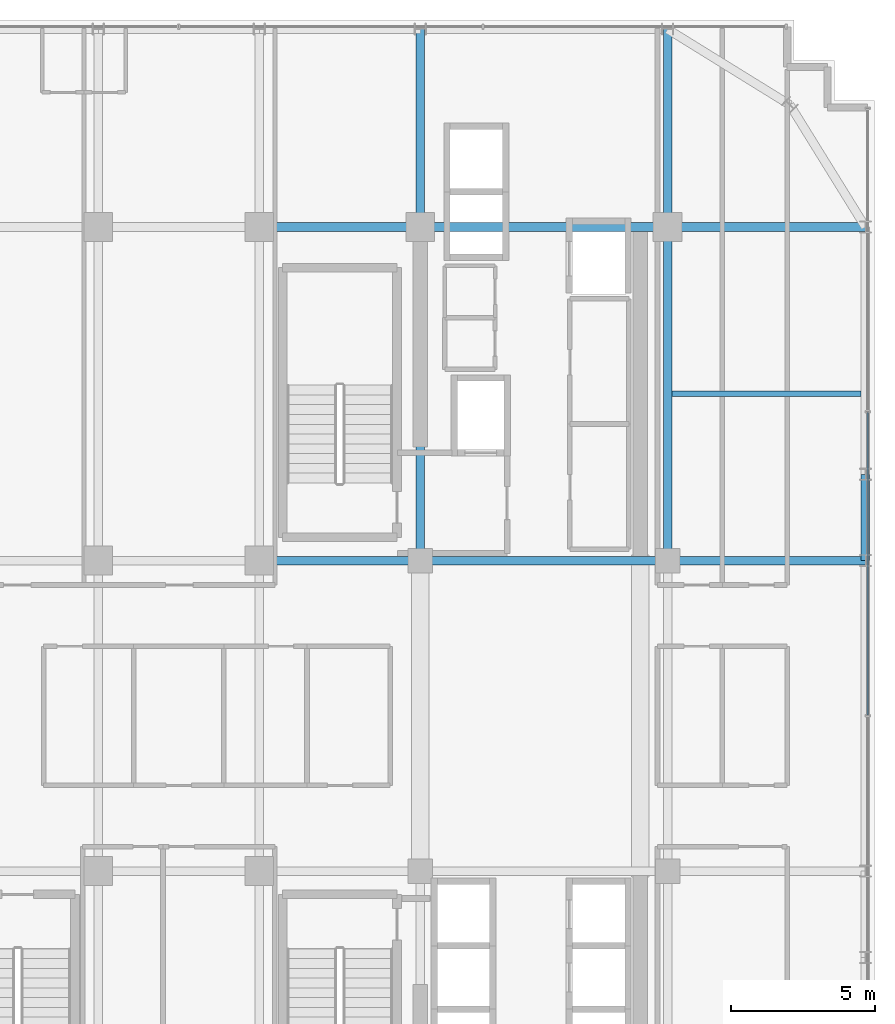
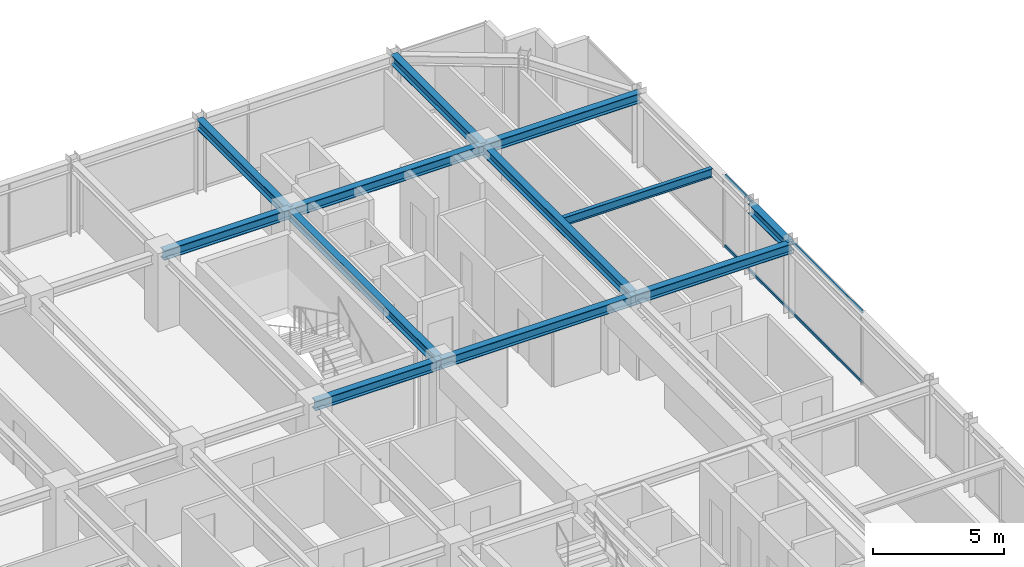
# One storey, part 21 of 32: 12 beams, 2 members, 1 element without a shape of its own.
"""IFC4 building model written with IfcOpenShell, lengths in metres."""

import ifcopenshell
import ifcopenshell.guid

model = None  # the IFC model being written
_history = None  # IfcOwnerHistory: only IFC2X3 demands one
_inside = {}  # id of a spatial element -> (the spatial element, [elements in it])
_under = {}  # id of a project, library or spatial element -> (it, [spatial elements below it])
_declared = {}  # id of a project -> (the project, [libraries it declares])
_typed = {}  # id of a type object -> (the type object, [elements of that type])
_made_of = {}  # id of a material, layer set ... -> (it, [elements and type objects made of it])


def new_model(schema):
    """Start an empty IFC model of exactly this schema.

    Asked for "IFC4X3", IfcOpenShell would pick the latest addendum, in which some entities
    have other attributes; the version numbers below select the first issue.
    IFC2X3 requires an IfcOwnerHistory on every rooted entity: one is made here for all.
    """
    global model, _history
    if schema == "IFC4X3":
        model = ifcopenshell.file(schema_version=(4, 3, 0, 0))
    else:
        model = ifcopenshell.file(schema=schema)
    _inside.clear()
    _under.clear()
    _declared.clear()
    _typed.clear()
    _made_of.clear()
    _history = None
    if model.schema == "IFC2X3":
        org = make("IfcOrganization", Name="unknown")
        user = make(
            "IfcPersonAndOrganization",
            ThePerson=make("IfcPerson", FamilyName="unknown"),
            TheOrganization=org,
        )
        app = make(
            "IfcApplication",
            ApplicationDeveloper=org,
            Version="unknown",
            ApplicationFullName="unknown",
            ApplicationIdentifier="unknown",
        )
        _history = make(
            "IfcOwnerHistory",
            OwningUser=user,
            OwningApplication=app,
            ChangeAction="ADDED",
            CreationDate=0,
        )
    return model


def make(cls, **values):
    """One entity of the class cls with the attributes given. An attribute that is None is left unset."""
    return model.create_entity(
        cls, **{name: value for name, value in values.items() if value is not None}
    )


def rooted(cls, **values):
    """An entity with a GlobalId (a new one), such as an element, a storey or a relation."""
    return make(cls, GlobalId=ifcopenshell.guid.new(), OwnerHistory=_history, **values)


def si_unit(unit_type, name, prefix=None):
    """IfcSIUnit, for example si_unit("LENGTHUNIT", "METRE", prefix="MILLI")."""
    return make("IfcSIUnit", UnitType=unit_type, Prefix=prefix, Name=name)


def assignment(units):
    """IfcUnitAssignment: the units of a project."""
    return None if units is None else make("IfcUnitAssignment", Units=units)


def point(xyz):
    """IfcCartesianPoint."""
    return None if xyz is None else make("IfcCartesianPoint", Coordinates=xyz)


def direction(xyz):
    """IfcDirection."""
    return None if xyz is None else make("IfcDirection", DirectionRatios=xyz)


def frame(location, z_axis=None, x_axis=None):
    """IfcAxis2Placement3D, a coordinate frame: its origin and axes. An axis left out is left unset."""
    return make(
        "IfcAxis2Placement3D",
        Location=point(location),
        Axis=direction(z_axis),
        RefDirection=direction(x_axis),
    )


def frame_2d(location, x_axis=None):
    """IfcAxis2Placement2D, a coordinate frame in the plane: its origin and x axis."""
    return make(
        "IfcAxis2Placement2D", Location=point(location), RefDirection=direction(x_axis)
    )


def origin():
    """The frame at (0, 0, 0) with its axes left unset."""
    return frame((0.0, 0.0, 0.0))


def origin_2d():
    """The frame at (0, 0) in the plane with its x axis left unset."""
    return frame_2d((0.0, 0.0))


def place(relative_to, where):
    """IfcLocalPlacement: puts the frame where relative to a parent placement (None: the world)."""
    return make(
        "IfcLocalPlacement", PlacementRelTo=relative_to, RelativePlacement=where
    )


def context(
    kind, dimensions, precision=None, world=None, true_north=None, identifier=None
):
    """IfcGeometricRepresentationContext, for example the 3D "Model" context."""
    return make(
        "IfcGeometricRepresentationContext",
        ContextIdentifier=identifier,
        ContextType=kind,
        CoordinateSpaceDimension=dimensions,
        Precision=precision,
        WorldCoordinateSystem=world,
        TrueNorth=true_north,
    )


def subcontext(parent, identifier, kind, view, scale=None):
    """IfcGeometricRepresentationSubContext, for example "Body" below "Model"."""
    return make(
        "IfcGeometricRepresentationSubContext",
        ContextIdentifier=identifier,
        ContextType=kind,
        ParentContext=parent,
        TargetScale=scale,
        TargetView=view,
    )


def project(units=None, contexts=None):
    """IfcProject with its units and contexts."""
    return rooted(
        "IfcProject",
        Name="project",
        RepresentationContexts=contexts,
        UnitsInContext=assignment(units),
    )


def spatial(cls, under=None, at=None, **own):
    """A site, building, storey or space (cls), placed at a placement, below another one or the project."""
    s = rooted(cls, ObjectPlacement=at, **own)
    if under is not None:
        _under.setdefault(under.id(), (under, []))[1].append(s)
    return s


def profile(cls, at=None, kind="AREA", **sizes):
    """A parametric profile (cls). Its sizes go by their IFC names, for example OverallWidth=200.0."""
    return make(cls, ProfileType=kind, Position=at, **sizes)


def hollow_rectangle(**sizes):
    """IfcRectangleHollowProfileDef."""
    return profile("IfcRectangleHollowProfileDef", **sizes)


def i_section(**sizes):
    """IfcIShapeProfileDef."""
    return profile("IfcIShapeProfileDef", **sizes)


def extrude(swept, where, along, depth):
    """IfcExtrudedAreaSolid: the profile swept, set in the frame where, extruded along a direction by depth."""
    return make(
        "IfcExtrudedAreaSolid",
        SweptArea=swept,
        Position=where,
        ExtrudedDirection=direction(along),
        Depth=depth,
    )


def shape(context_of_items, identifier, shape_type, items):
    """IfcShapeRepresentation: the items that make up one representation, for example the "Body"."""
    return make(
        "IfcShapeRepresentation",
        ContextOfItems=context_of_items,
        RepresentationIdentifier=identifier,
        RepresentationType=shape_type,
        Items=items,
    )


def source(mapping_origin, context_of_items, identifier, shape_type, items):
    """IfcRepresentationMap: a shape defined once, which mapped items show again and again."""
    return make(
        "IfcRepresentationMap",
        MappingOrigin=mapping_origin,
        MappedRepresentation=shape(context_of_items, identifier, shape_type, items),
    )


def transform(
    local_origin,
    x_axis=None,
    y_axis=None,
    z_axis=None,
    scale=None,
    scale2=None,
    scale3=None,
    uniform=True,
):
    """IfcCartesianTransformationOperator3D, or its non-uniform kind. x_axis, y_axis, z_axis: its Axis1, 2, 3."""
    if uniform:
        return make(
            "IfcCartesianTransformationOperator3D",
            Axis1=direction(x_axis),
            Axis2=direction(y_axis),
            LocalOrigin=point(local_origin),
            Scale=scale,
            Axis3=direction(z_axis),
        )
    return make(
        "IfcCartesianTransformationOperator3DnonUniform",
        Axis1=direction(x_axis),
        Axis2=direction(y_axis),
        LocalOrigin=point(local_origin),
        Scale=scale,
        Axis3=direction(z_axis),
        Scale2=scale2,
        Scale3=scale3,
    )


def mapped(mapping_source, mapping_target):
    """IfcMappedItem: shows the shape of a source again, moved by a transform."""
    return make(
        "IfcMappedItem", MappingSource=mapping_source, MappingTarget=mapping_target
    )


def material(Name=None, Category=None):
    """IfcMaterial."""
    return make("IfcMaterial", Name=Name, Category=Category)


def material_profile(
    of_material, cross_section, Name=None, Category=None, Priority=None
):
    """IfcMaterialProfile: a cross section and its material."""
    return make(
        "IfcMaterialProfile",
        Name=Name,
        Material=of_material,
        Profile=cross_section,
        Priority=Priority,
        Category=Category,
    )


def profile_set(profiles, Name=None, composite=None):
    """IfcMaterialProfileSet."""
    return make(
        "IfcMaterialProfileSet",
        Name=Name,
        MaterialProfiles=profiles,
        CompositeProfile=composite,
    )


def made_of(thing, what):
    """Note that an element or type object is made of a material, layer set ...; save() writes the relation."""
    if what is not None:
        _made_of.setdefault(what.id(), (what, []))[1].append(thing)
    return thing


def type_object(cls, material=None, **own):
    """A type object (cls), such as IfcWallType, which elements share."""
    return made_of(rooted(cls, **own), material)


def element(
    cls,
    number,
    at=None,
    inside=None,
    cuts=None,
    type_object=None,
    material=None,
    context=None,
    identifier="Body",
    shape_type=None,
    held_by="IfcProductDefinitionShape",
    body=None,
    shapes=None,
    **own,
):
    """One element of the class cls, such as IfcWall. Its Tag is "e" and its number.

    at: its placement. inside: the storey or other place that contains it. cuts: it is an
    opening in that element (IfcRelVoidsElement). A single representation is given by context,
    identifier, shape_type and body (its items); several are given by shapes. held_by: the class
    of the entity that holds the representations. save() writes the other relations.
    """
    e = rooted(cls, Tag="e%d" % number, ObjectPlacement=at, **own)
    if body is not None:
        shapes = [shape(context, identifier, shape_type, body)]
    if shapes is not None:
        e.Representation = make(held_by, Representations=shapes)
    if inside is not None:
        _inside.setdefault(inside.id(), (inside, []))[1].append(e)
    if cuts is not None:
        rooted(
            "IfcRelVoidsElement", RelatingBuildingElement=cuts, RelatedOpeningElement=e
        )
    if type_object is not None:
        _typed.setdefault(type_object.id(), (type_object, []))[1].append(e)
    return made_of(e, material)


def aggregate(whole, parts):
    """IfcRelAggregates: a whole, such as a stair, and the parts it consists of."""
    return rooted("IfcRelAggregates", RelatingObject=whole, RelatedObjects=parts)


def save(model, path):
    """Write the relations noted so far, then the file.

    IfcRelAggregates (storeys below a building ...), IfcRelContainedInSpatialStructure (elements
    in a storey), IfcRelDefinesByType, IfcRelAssociatesMaterial and IfcRelDeclares: one each for
    every whole, place, type object, material and project.
    """
    for whole, parts in _under.values():
        aggregate(whole, parts)
    for where, things in _inside.values():
        rooted(
            "IfcRelContainedInSpatialStructure",
            RelatedElements=things,
            RelatingStructure=where,
        )
    for kind, things in _typed.values():
        rooted("IfcRelDefinesByType", RelatedObjects=things, RelatingType=kind)
    for what, things in _made_of.values():
        rooted("IfcRelAssociatesMaterial", RelatedObjects=things, RelatingMaterial=what)
    for by, libraries in _declared.values():
        rooted("IfcRelDeclares", RelatingContext=by, RelatedDefinitions=libraries)
    model.write(path)


model = new_model("IFC4")

# Units and contexts
model_context = context("Model", 3, precision=1e-05, world=origin(), true_north=direction((0.0, 1.0)))
body_context = subcontext(model_context, "Body", "Model", "MODEL_VIEW")
ifc_project = project(units=[si_unit("LENGTHUNIT", "METRE"), si_unit("AREAUNIT", "SQUARE_METRE"), si_unit("VOLUMEUNIT", "CUBIC_METRE"), si_unit("PLANEANGLEUNIT", "RADIAN"), si_unit("MASSUNIT", "GRAM", prefix="KILO")], contexts=[model_context])

# Site, building, storey
site_placement = place(None, origin())
site = spatial("IfcSite", under=ifc_project, at=site_placement, CompositionType="ELEMENT")
building_placement = place(site_placement, origin())
building = spatial("IfcBuilding", under=site, at=building_placement, Name="Nahalor Promenade Grand Hotel", CompositionType="ELEMENT")
storey_placement = place(building_placement, frame((0.0, 0.0, 230.800048828125)))
storey = spatial("IfcBuildingStorey", under=building, at=storey_placement, Name="L59", CompositionType="ELEMENT", Elevation=230.800048828125)

# Beams
ifc_material_1 = material(Name="Steel S355JR", Category="steel")
ifc_material_profile_1 = material_profile(ifc_material_1, i_section(OverallWidth=0.3, OverallDepth=0.45, WebThickness=0.014, FlangeThickness=0.026, at=origin_2d()), Name="HEB 450")
ifc_profile_set_1 = profile_set([ifc_material_profile_1], Name="Steel S355JR")
beam_type_1 = type_object("IfcBeamType", Name="Beam-Spandrel-HEB450", PredefinedType="SPANDREL", material=ifc_profile_set_1)
shared_shape_1 = source(origin(), body_context, "Body", "SweptSolid", [
    extrude(i_section(OverallWidth=0.3, OverallDepth=0.45, WebThickness=0.014, FlangeThickness=0.026, at=origin_2d()), origin(), (0.0, 0.0, 1.0), 3.0),
])
beam_1_placement = place(storey_placement, frame((23.8798828125, 5.39990234375, 3.18505859375), z_axis=(0.0, 1.0, 0.0), x_axis=(-1.0, 0.0, 0.0)))
element("IfcBeam", 1, at=beam_1_placement, inside=storey, type_object=beam_type_1, Name="BM-L59-SP-E-3", PredefinedType="SPANDREL", context=body_context, shape_type="MappedRepresentation", body=[
    mapped(shared_shape_1, transform((0.0, 0.0, 0.0), scale=1.0)),
])
ifc_material_profile_2 = material_profile(ifc_material_1, i_section(OverallWidth=0.3, OverallDepth=0.45, WebThickness=0.014, FlangeThickness=0.026, at=origin_2d()), Name="HEB 450")
ifc_profile_set_2 = profile_set([ifc_material_profile_2], Name="Steel S355JR")
beam_type_2 = type_object("IfcBeamType", Name="Beam-Girder-HEB450", PredefinedType="BEAM", material=ifc_profile_set_2)
shared_shape_2 = source(origin(), body_context, "Body", "SweptSolid", [
    extrude(i_section(OverallWidth=0.3, OverallDepth=0.45, WebThickness=0.014, FlangeThickness=0.026, at=origin_2d()), origin(), (0.0, 0.0, 1.0), 6.8798828125),
])
for number, where, z_axis, x_axis, name in (
    (2, (17.0, 5.39990234375, 3.18505859375), (1.0, 0.0, 0.0), (0.0, 1.0, 0.0), "BM-L59-GX-2-6"),
    (3, (17.0, 17.0, 3.18505859375), (1.0, 0.0, 0.0), (0.0, 1.0, 0.0), "BM-L59-GX-3-6"),
    (4, (8.39990234375, 17.0, 3.18505859375), (0.0, 1.0, 0.0), (-1.0, 0.0, 0.0), "BM-L59-GY-4-4"),
    (5, (17.0, 17.0, 3.18505859375), (0.0, 1.0, 0.0), (-1.0, 0.0, 0.0), "BM-L59-GY-5-4"),
):
    element("IfcBeam", number, at=place(storey_placement, frame(where, z_axis=z_axis, x_axis=x_axis)), inside=storey, type_object=beam_type_2, Name=name, PredefinedType="BEAM", context=body_context, shape_type="MappedRepresentation", body=[
        mapped(shared_shape_2, transform((0.0, 0.0, 0.0), scale=1.0)),
    ])
shared_shape_3 = source(origin(), body_context, "Body", "SweptSolid", [
    extrude(i_section(OverallWidth=0.3, OverallDepth=0.45, WebThickness=0.014, FlangeThickness=0.026, at=origin_2d()), origin(), (0.0, 0.0, 1.0), 8.60009765625),
])
for number, where, z_axis, x_axis, name in (
    (6, (8.39990234375, 5.39990234375, 3.18505859375), (1.0, 0.0, 0.0), (0.0, 1.0, 0.0), "BM-L59-GX-2-5"),
    (7, (8.39990234375, 17.0, 3.18505859375), (1.0, 0.0, 0.0), (0.0, 1.0, 0.0), "BM-L59-GX-3-5"),
):
    element("IfcBeam", number, at=place(storey_placement, frame(where, z_axis=z_axis, x_axis=x_axis)), inside=storey, type_object=beam_type_2, Name=name, PredefinedType="BEAM", context=body_context, shape_type="MappedRepresentation", body=[
        mapped(shared_shape_3, transform((0.0, 0.0, 0.0), scale=1.0)),
    ])
shared_shape_4 = source(origin(), body_context, "Body", "SweptSolid", [
    extrude(i_section(OverallWidth=0.3, OverallDepth=0.45, WebThickness=0.014, FlangeThickness=0.026, at=origin_2d()), origin(), (0.0, 0.0, 1.0), 5.599853515625),
])
for number, where, z_axis, x_axis, name in (
    (8, (2.800048828125, 5.39990234375, 3.18505859375), (1.0, 0.0, 0.0), (0.0, 1.0, 0.0), "BM-L59-GX-2-4"),
    (9, (2.800048828125, 17.0, 3.18505859375), (1.0, 0.0, 0.0), (0.0, 1.0, 0.0), "BM-L59-GX-3-4"),
):
    element("IfcBeam", number, at=place(storey_placement, frame(where, z_axis=z_axis, x_axis=x_axis)), inside=storey, type_object=beam_type_2, Name=name, PredefinedType="BEAM", context=body_context, shape_type="MappedRepresentation", body=[
        mapped(shared_shape_4, transform((0.0, 0.0, 0.0), scale=1.0)),
    ])
shared_shape_5 = source(origin(), body_context, "Body", "SweptSolid", [
    extrude(i_section(OverallWidth=0.3, OverallDepth=0.45, WebThickness=0.014, FlangeThickness=0.026, at=origin_2d()), origin(), (0.0, 0.0, 1.0), 11.60009765625),
])
for number, where, z_axis, x_axis, name in (
    (10, (8.39990234375, 5.39990234375, 3.18505859375), (0.0, 1.0, 0.0), (-1.0, 0.0, 0.0), "BM-L59-GY-4-3"),
    (11, (17.0, 5.39990234375, 3.18505859375), (0.0, 1.0, 0.0), (-1.0, 0.0, 0.0), "BM-L59-GY-5-3"),
):
    element("IfcBeam", number, at=place(storey_placement, frame(where, z_axis=z_axis, x_axis=x_axis)), inside=storey, type_object=beam_type_2, Name=name, PredefinedType="BEAM", context=body_context, shape_type="MappedRepresentation", body=[
        mapped(shared_shape_5, transform((0.0, 0.0, 0.0), scale=1.0)),
    ])
ifc_material_profile_3 = material_profile(ifc_material_1, i_section(OverallWidth=0.18, OverallDepth=0.4, WebThickness=0.0086, FlangeThickness=0.0135, at=origin_2d()), Name="IPE 400")
ifc_profile_set_3 = profile_set([ifc_material_profile_3], Name="Steel S355JR")
beam_type_3 = type_object("IfcBeamType", Name="Beam-Joist-IPE400", PredefinedType="JOIST", material=ifc_profile_set_3)
shared_shape_6 = source(origin(), body_context, "Body", "SweptSolid", [
    extrude(i_section(OverallWidth=0.18, OverallDepth=0.4, WebThickness=0.0086, FlangeThickness=0.0135, at=origin_2d()), origin(), (0.0, 0.0, 1.0), 6.580078125),
])
beam_2_placement = place(storey_placement, frame((17.14990234375, 11.199951171875, 3.2099609375), z_axis=(1.0, 0.0, 0.0), x_axis=(0.0, 1.0, 0.0)))
element("IfcBeam", 12, at=beam_2_placement, inside=storey, type_object=beam_type_3, Name="BM-L59-JSE-1-2", PredefinedType="JOIST", context=body_context, shape_type="MappedRepresentation", body=[
    mapped(shared_shape_6, transform((0.0, 0.0, 0.0), scale=1.0)),
])

# Curtain wall, members
ifc_material_2 = material(Name="Anodised Bronze Aluminium EN AW-6063 T6", Category="aluminium")
curtain_wall_type = type_object("IfcCurtainWallType", Name="CW2 Typical Hotel Flush Bronze Unitised Curtain Wall", PredefinedType="USERDEFINED", material=ifc_material_2)
curtain_wall_placement = place(storey_placement, origin())
curtain_wall = element("IfcCurtainWall", 13, at=curtain_wall_placement, inside=storey, type_object=curtain_wall_type, Name="L59 Curtain Wall CW-L59-E-1", ObjectType="UNITISED_CURTAIN_WALL", PredefinedType="USERDEFINED")
ifc_material_profile_4 = material_profile(ifc_material_2, hollow_rectangle(XDim=0.065, YDim=0.13, WallThickness=0.004, at=origin_2d()), Name="CWT 65x130x4")
ifc_profile_set_4 = profile_set([ifc_material_profile_4], Name="Anodised Bronze Aluminium EN AW-6063 T6")
member_type = type_object("IfcMemberType", Name="CWT2 Typical Bronze Transom 65x130", PredefinedType="USERDEFINED", material=ifc_profile_set_4)
shared_shape_7 = source(origin(), body_context, "Body", "SweptSolid", [
    extrude(hollow_rectangle(XDim=0.065, YDim=0.13, WallThickness=0.004, at=origin_2d()), origin(), (0.0, 0.0, 1.0), 10.51513671875),
])
member_1_placement = place(storey_placement, frame((23.9599609375, 0.032470703125, 0.06494140625), z_axis=(0.0, 1.0, 0.0), x_axis=(-1.0, 0.0, 0.0)))
member_1 = element("IfcMember", 14, at=member_1_placement, type_object=member_type, Name="CW-L59-E-1 Transom 2-0", ObjectType="TRANSOM", PredefinedType="USERDEFINED", context=body_context, shape_type="MappedRepresentation", body=[
    mapped(shared_shape_7, transform((0.0, 0.0, 0.0), scale=1.0)),
])
member_2_placement = place(storey_placement, frame((23.9599609375, 0.032470703125, 3.344970703125), z_axis=(0.0, 1.0, 0.0), x_axis=(-1.0, 0.0, 0.0)))
member_2 = element("IfcMember", 15, at=member_2_placement, type_object=member_type, Name="CW-L59-E-1 Transom 2-1", ObjectType="TRANSOM", PredefinedType="USERDEFINED", context=body_context, shape_type="MappedRepresentation", body=[
    mapped(shared_shape_7, transform((0.0, 0.0, 0.0), scale=1.0)),
])
aggregate(curtain_wall, [member_1, member_2])

save(model, "model.ifc")
